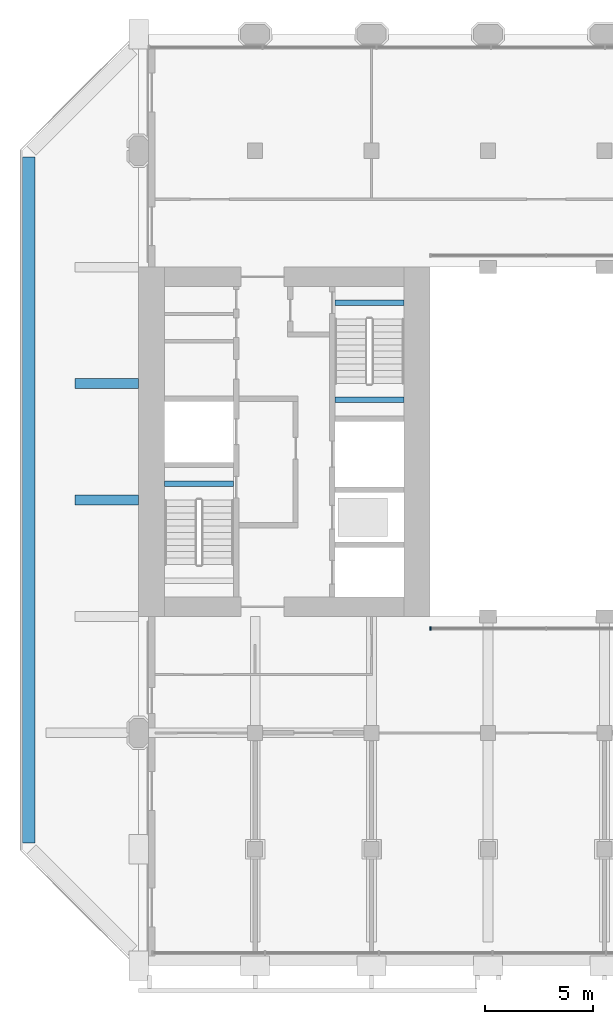
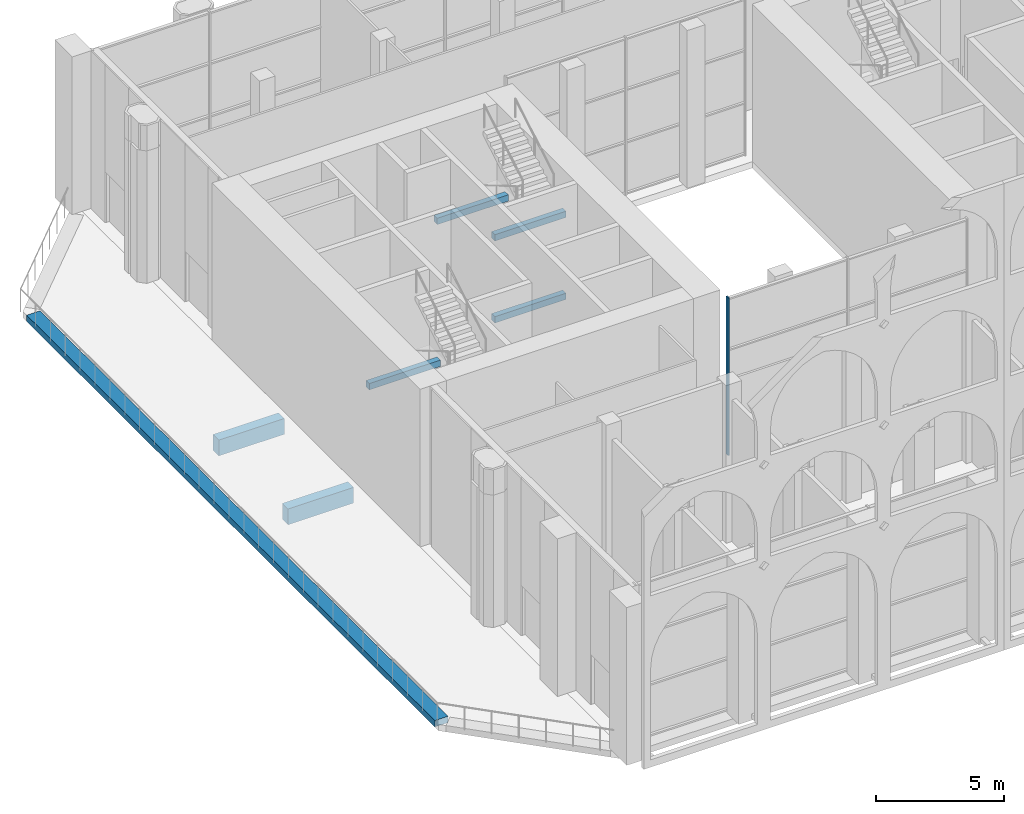
# One storey, part 3 of 20: 7 beams, 1 member, 1 element without a shape of its own.
"""IFC4 building model written with IfcOpenShell, lengths in metres."""

from ifc_helpers import new_model, si_unit, direction, frame, origin, origin_2d, place, context, subcontext, project, spatial, rectangle, extrude, material, material_profile, profile_set, type_object, element, aggregate, save


model = new_model("IFC4")

# Units and contexts
model_context = context("Model", 3, precision=1e-05, world=origin(), true_north=direction((0.0, 1.0)))
body_context = subcontext(model_context, "Body", "Model", "MODEL_VIEW")
ifc_project = project(units=[si_unit("LENGTHUNIT", "METRE"), si_unit("AREAUNIT", "SQUARE_METRE"), si_unit("VOLUMEUNIT", "CUBIC_METRE"), si_unit("PLANEANGLEUNIT", "RADIAN"), si_unit("MASSUNIT", "GRAM", prefix="KILO")], contexts=[model_context])

# Site, building, storey
site_placement = place(None, origin())
site = spatial("IfcSite", under=ifc_project, at=site_placement, CompositionType="ELEMENT")
building_placement = place(site_placement, origin())
building = spatial("IfcBuilding", under=site, at=building_placement, Name="Tabaq Tower and Sports Hall", CompositionType="ELEMENT")
storey_placement = place(building_placement, frame((0.0, 0.0, 243.10009765625)))
storey = spatial("IfcBuildingStorey", under=building, at=storey_placement, Name="L60", CompositionType="ELEMENT", Elevation=243.10009765625)

# Curtain wall, member
ifc_material_1 = material(Name="Aluminium alloy 6063-T6 framed glazing", Category="aluminium")
curtain_wall_type = type_object("IfcCurtainWallType", Name="CW1 curtain wall", PredefinedType="USERDEFINED", material=ifc_material_1)
curtain_wall_placement = place(storey_placement, origin())
curtain_wall = element("IfcCurtainWall", 1, at=curtain_wall_placement, inside=storey, type_object=curtain_wall_type, Name="Atrium glazing L60 S", ObjectType="ATRIUM ENCLOSURE", PredefinedType="USERDEFINED")
ifc_material_2 = material(Name="Aluminium alloy 6063-T6", Category="aluminium")
ifc_material_profile_1 = material_profile(ifc_material_2, rectangle(XDim=0.159912109375, YDim=0.06005859375, at=origin_2d()), Name="MULLION 160x60")
ifc_profile_set_1 = profile_set([ifc_material_profile_1], Name="Aluminium alloy 6063-T6")
member_type = type_object("IfcMemberType", Name="CW1 mullion 160x60", PredefinedType="MULLION", material=ifc_profile_set_1)
member_placement = place(storey_placement, frame((18.929931640625, 15.64990234375, 0.0), z_axis=(0.0, 0.0, 1.0), x_axis=(0.0, 1.0, 0.0)))
member = element("IfcMember", 2, at=member_placement, type_object=member_type, Name="CW1 mullion 1", PredefinedType="MULLION", context=body_context, shape_type="SweptSolid", body=[
    extrude(rectangle(XDim=0.159912109375, YDim=0.06005859375, at=origin_2d()), origin(), (0.0, 0.0, 1.0), 7.5),
])
aggregate(curtain_wall, [member])

# Beams
ifc_material_3 = material(Name="Concrete C40/50", Category="concrete")
ifc_material_profile_2 = material_profile(ifc_material_3, rectangle(XDim=0.449951171875, YDim=0.75, at=origin_2d()), Name="CB 450x750")
ifc_profile_set_2 = profile_set([ifc_material_profile_2], Name="Concrete C40/50")
beam_type_1 = type_object("IfcBeamType", Name="PT CANTILEVER BEAM CB 450x750 C40/50", PredefinedType="BEAM", material=ifc_profile_set_2)
for number, where, z_axis, x_axis, name in (
    (3, (2.449951171875, 21.60009765625, -0.675048828125), (1.0, 0.0, 0.0), (0.0, 1.0, 0.0), "Cantilever Beam L60 W4 span 1"),
    (4, (2.449951171875, 27.0, -0.675048828125), (1.0, 0.0, 0.0), (0.0, 1.0, 0.0), "Cantilever Beam L60 W5 span 1"),
):
    element("IfcBeam", number, at=place(storey_placement, frame(where, z_axis=z_axis, x_axis=x_axis)), inside=storey, type_object=beam_type_1, Name=name, PredefinedType="BEAM", context=body_context, shape_type="SweptSolid", body=[
        extrude(rectangle(XDim=0.449951171875, YDim=0.75, at=origin_2d()), origin(), (0.0, 0.0, 1.0), 2.949951171875),
    ])
ifc_material_4 = material(Name="Concrete C40/50", Category="concrete")
ifc_material_profile_3 = material_profile(ifc_material_4, rectangle(XDim=0.60009765625, YDim=0.300048828125, at=origin_2d()), Name="EB 600x300")
ifc_profile_set_3 = profile_set([ifc_material_profile_3], Name="Concrete C40/50")
beam_type_2 = type_object("IfcBeamType", Name="PT EDGE BEAM EB 600x300 C40/50", PredefinedType="SPANDREL", material=ifc_profile_set_3)
beam_placement = place(storey_placement, frame((0.300048828125, 37.50146484375, -0.150146484375), z_axis=(0.0, -1.0, 0.0), x_axis=(1.0, 0.0, 0.0)))
element("IfcBeam", 5, at=beam_placement, inside=storey, type_object=beam_type_2, Name="Edge Beam L60 3", PredefinedType="SPANDREL", context=body_context, shape_type="SweptSolid", body=[
    extrude(rectangle(XDim=0.60009765625, YDim=0.300048828125, at=origin_2d()), origin(), (0.0, 0.0, 1.0), 31.802978515625),
])
ifc_material_5 = material(Name="Concrete C40/50", Category="concrete")
ifc_material_profile_4 = material_profile(ifc_material_5, rectangle(XDim=0.25, YDim=0.300048828125, at=origin_2d()), Name="RC 250x300")
ifc_profile_set_4 = profile_set([ifc_material_profile_4], Name="Concrete C40/50")
beam_type_3 = type_object("IfcBeamType", Name="Stair landing beam 250x300", PredefinedType="BEAM", material=ifc_profile_set_4)
for number, where, z_axis, x_axis, name in (
    (6, (6.60009765625, 22.35009765625, 3.5498046875), (1.0, 0.0, 0.0), (0.0, 1.0, 0.0), "L60 ST1 landing beam 2"),
    (7, (14.5, 26.25, 1.599853515625), (1.0, 0.0, 0.0), (0.0, 1.0, 0.0), "L60 ST2 landing beam 1"),
    (8, (14.5, 30.75, 3.5498046875), (1.0, 0.0, 0.0), (0.0, 1.0, 0.0), "L60 ST2 landing beam 2"),
    (9, (14.5, 26.25, 5.5), (1.0, 0.0, 0.0), (0.0, 1.0, 0.0), "L60 ST2 landing beam 3"),
):
    element("IfcBeam", number, at=place(storey_placement, frame(where, z_axis=z_axis, x_axis=x_axis)), inside=storey, type_object=beam_type_3, Name=name, PredefinedType="BEAM", context=body_context, shape_type="SweptSolid", body=[
        extrude(rectangle(XDim=0.25, YDim=0.300048828125, at=origin_2d()), origin(), (0.0, 0.0, 1.0), 3.199951171875),
    ])

save(model, "model.ifc")
